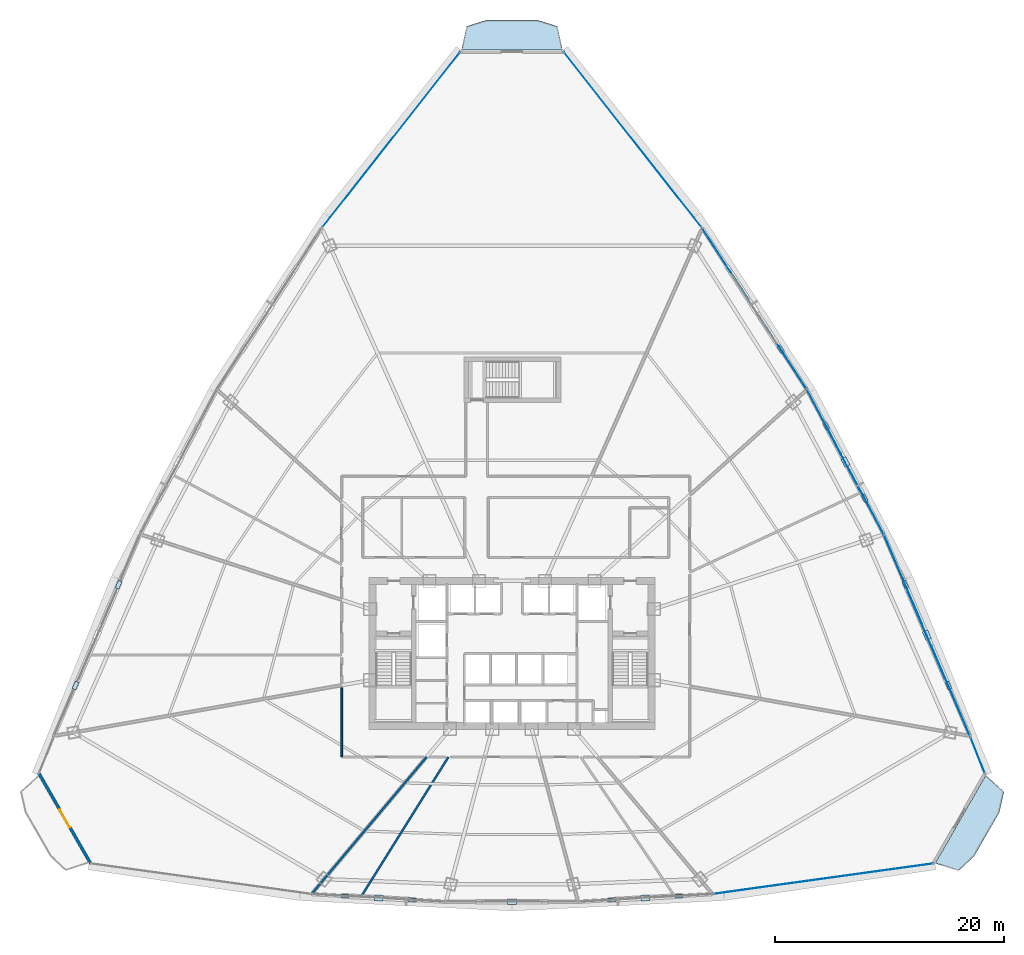
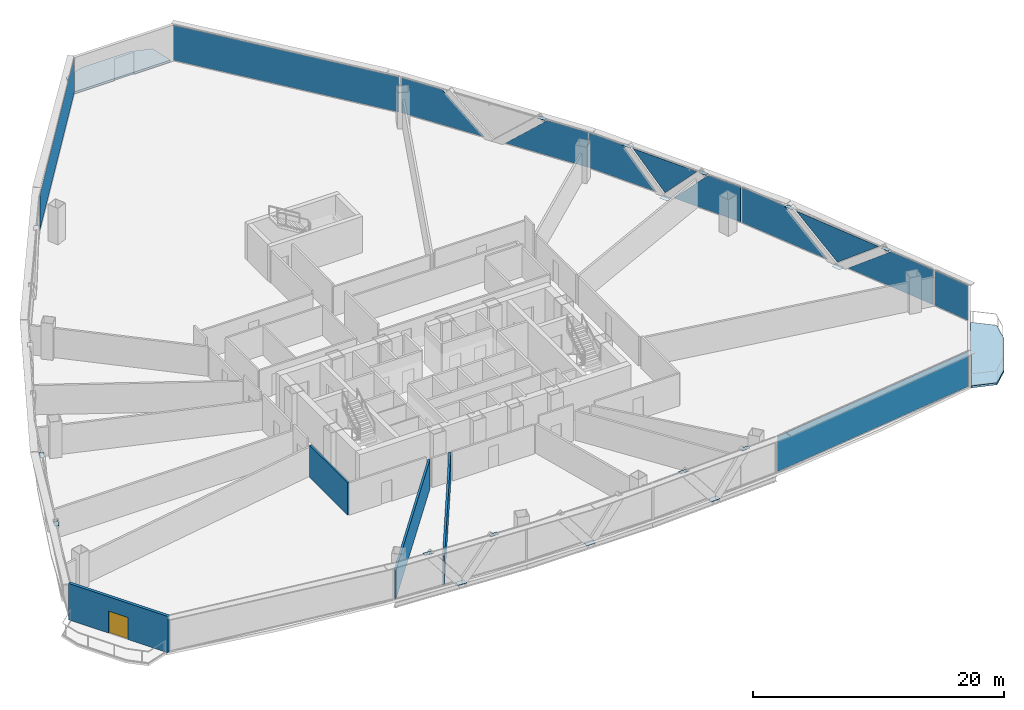
# One storey, part 28 of 36: 28 plates, 4 walls, 2 slabs, 1 door, 1 opening, 7 elements without a shape of their own.
"""IFC4 building model written with IfcOpenShell, lengths in metres."""

from ifc_helpers import new_model, si_unit, direction, frame, frame_2d, origin, origin_with_axes, origin_2d, place, context, subcontext, project, spatial, polyline, rectangle, outline, extrude, source, transform, mapped, material, layer, layer_set, type_object, element, fill, aggregate, save


model = new_model("IFC4")

# Units and contexts
model_context = context("Model", 3, precision=1e-05, world=origin(), true_north=direction((0.0, 1.0)))
body_context = subcontext(model_context, "Body", "Model", "MODEL_VIEW")
ifc_project = project(units=[si_unit("LENGTHUNIT", "METRE"), si_unit("AREAUNIT", "SQUARE_METRE"), si_unit("VOLUMEUNIT", "CUBIC_METRE"), si_unit("PLANEANGLEUNIT", "RADIAN"), si_unit("MASSUNIT", "GRAM", prefix="KILO"), si_unit("THERMODYNAMICTEMPERATUREUNIT", "KELVIN"), si_unit("POWERUNIT", "WATT")], contexts=[model_context])

# Site, building, storey
site_placement = place(None, origin())
site = spatial("IfcSite", under=ifc_project, at=site_placement, CompositionType="ELEMENT")
building_placement = place(site_placement, origin())
building = spatial("IfcBuilding", under=site, at=building_placement, Name="Yunzhuo Pagoda Commons", CompositionType="ELEMENT")
storey_placement = place(building_placement, frame((0.0, 0.0, 103.97998046875)))
storey = spatial("IfcBuildingStorey", under=building, at=storey_placement, Name="L26", CompositionType="ELEMENT", Elevation=103.97998046875)

# Curtain wall, plates
ifc_material_1 = material(Name="Anodized aluminium 6063-T6", Category="aluminium")
ifc_layer_1 = layer(ifc_material_1, 0.1650390625)
ifc_layer_set_1 = layer_set([ifc_layer_1], Name="Anodized aluminium 6063-T6")
curtain_wall_type = type_object("IfcCurtainWallType", Name="CW-LOW Low-Zone Ribbon Curtain Wall", PredefinedType="NOTDEFINED", material=ifc_layer_set_1)
curtain_wall_1_placement = place(storey_placement, origin())
curtain_wall_1 = element("IfcCurtainWall", 1, at=curtain_wall_1_placement, inside=storey, type_object=curtain_wall_type, Name="L26 curtain wall CW-L26-F2B2", PredefinedType="NOTDEFINED")
ifc_material_2 = material(Name="Tempered low-e double glazing", Category="glass")
ifc_layer_2 = layer(ifc_material_2, 0.028076171875)
ifc_layer_set_2 = layer_set([ifc_layer_2], Name="Tempered low-e double glazing")
plate_type_1 = type_object("IfcPlateType", Name="CW-LOW-P Low-E Double Glazing 28", PredefinedType="CURTAIN_PANEL", material=ifc_layer_set_2)
plate_1_placement = place(storey_placement, frame((86.35400390625, 30.60107421875, 1.77001953125), z_axis=(0.919516302226, 0.39305186673, 0.0), x_axis=(-0.39305186673, 0.919516302226, 0.0)))
plate_1 = element("IfcPlate", 2, at=plate_1_placement, type_object=plate_type_1, Name="CW panel 1.1 lite 1", PredefinedType="CURTAIN_PANEL", context=body_context, shape_type="SweptSolid", body=[
    extrude(outline(polyline([(-4.25390625, -1.7099609375), (4.25390625, -1.7099609375), (-0.060791015625, 1.7099609375), (-4.25390625, 1.7099609375), (-4.25390625, -1.7099609375)])), origin(), (0.0, 0.0, 1.0), 0.028076171875),
])
plate_2_placement = place(storey_placement, frame((84.25537109375, 35.4345703125, 1.8525390625), z_axis=(0.919516302226, 0.39305186673, 0.0), x_axis=(-0.39305186673, 0.919516302226, 0.0)))
plate_2 = element("IfcPlate", 3, at=plate_2_placement, type_object=plate_type_1, Name="CW panel 1.1 lite 2", PredefinedType="CURTAIN_PANEL", context=body_context, shape_type="SweptSolid", body=[
    extrude(outline(polyline([(-4.106689453125, 1.62744140625), (0.0, -1.62744140625), (4.106689453125, 1.62744140625), (-4.106689453125, 1.62744140625)])), origin(), (0.0, 0.0, 1.0), 0.028076171875),
])
plate_3_placement = place(storey_placement, frame((82.2119140625, 40.291748046875, 1.77001953125), z_axis=(0.919516302226, 0.39305186673, 0.0), x_axis=(-0.39305186673, 0.919516302226, 0.0)))
plate_3 = element("IfcPlate", 4, at=plate_3_placement, type_object=plate_type_1, Name="CW panel 1.1 lite 3", PredefinedType="CURTAIN_PANEL", context=body_context, shape_type="SweptSolid", body=[
    extrude(outline(polyline([(-4.25390625, -1.7099609375), (4.25390625, -1.7099609375), (4.25390625, 1.7099609375), (0.060791015625, 1.7099609375), (-4.25390625, -1.7099609375)])), origin(), (0.0, 0.0, 1.0), 0.028076171875),
])
aggregate(curtain_wall_1, [plate_1, plate_2, plate_3])

curtain_wall_2_placement = place(storey_placement, origin())
curtain_wall_2 = element("IfcCurtainWall", 5, at=curtain_wall_2_placement, inside=storey, type_object=curtain_wall_type, Name="L26 curtain wall CW-L26-F2B3", PredefinedType="NOTDEFINED")
plate_4_placement = place(storey_placement, frame((79.01123046875, 47.092529296875, 1.77001953125), z_axis=(0.883152288181, 0.469086384241, 0.0), x_axis=(-0.469086384241, 0.883152288181, 0.0)))
plate_4 = element("IfcPlate", 6, at=plate_4_placement, type_object=plate_type_1, Name="CW panel 1.1 lite 1", PredefinedType="CURTAIN_PANEL", context=body_context, shape_type="SweptSolid", body=[
    extrude(outline(polyline([(-3.139892578125, -1.7099609375), (3.139892578125, -1.7099609375), (-0.086181640625, 1.7099609375), (-3.139892578125, 1.7099609375), (-3.139892578125, -1.7099609375)])), origin(), (0.0, 0.0, 1.0), 0.028076171875),
])
plate_5_placement = place(storey_placement, frame((77.125244140625, 50.57958984375, 1.886962890625), z_axis=(0.883152288181, 0.469086384241, 0.0), x_axis=(-0.469086384241, 0.883152288181, 0.0)))
plate_5 = element("IfcPlate", 7, at=plate_5_placement, type_object=plate_type_1, Name="CW panel 1.1 lite 2", PredefinedType="CURTAIN_PANEL", context=body_context, shape_type="SweptSolid", body=[
    extrude(outline(polyline([(-3.005615234375, 1.593017578125), (0.0, -1.593017578125), (3.005615234375, 1.593017578125), (-3.005615234375, 1.593017578125)])), origin(), (0.0, 0.0, 1.0), 0.028076171875),
])
plate_6_placement = place(storey_placement, frame((75.292236328125, 54.094482421875, 1.77001953125), z_axis=(0.883152288181, 0.469086384241, 0.0), x_axis=(-0.469086384241, 0.883152288181, 0.0)))
plate_6 = element("IfcPlate", 8, at=plate_6_placement, type_object=plate_type_1, Name="CW panel 1.1 lite 3", PredefinedType="CURTAIN_PANEL", context=body_context, shape_type="SweptSolid", body=[
    extrude(outline(polyline([(-3.139892578125, -1.7099609375), (3.139892578125, -1.7099609375), (3.139892578125, 1.7099609375), (0.086181640625, 1.7099609375), (-3.139892578125, -1.7099609375)])), origin(), (0.0, 0.0, 1.0), 0.028076171875),
])
aggregate(curtain_wall_2, [plate_4, plate_5, plate_6])

curtain_wall_3_placement = place(storey_placement, origin())
curtain_wall_3 = element("IfcCurtainWall", 9, at=curtain_wall_3_placement, inside=storey, type_object=curtain_wall_type, Name="L26 curtain wall CW-L26-F2B4", PredefinedType="NOTDEFINED")
plate_7_placement = place(storey_placement, frame((71.7314453125, 60.09814453125, 1.77001953125), z_axis=(0.839039875799, 0.544069928244, 0.0), x_axis=(-0.544069928244, 0.839039875799, 0.0)))
plate_7 = element("IfcPlate", 10, at=plate_7_placement, type_object=plate_type_1, Name="CW panel 1.1 lite 1", PredefinedType="CURTAIN_PANEL", context=body_context, shape_type="SweptSolid", body=[
    extrude(outline(polyline([(-3.718017578125, -1.7099609375), (3.718017578125, -1.7099609375), (-0.072265625, 1.7099609375), (-3.718017578125, 1.7099609375), (-3.718017578125, -1.7099609375)])), origin(), (0.0, 0.0, 1.0), 0.028076171875),
])
plate_8_placement = place(storey_placement, frame((66.6826171875, 67.884033203125, 1.77001953125), z_axis=(0.839039875799, 0.544069928244, 0.0), x_axis=(-0.544069928244, 0.839039875799, 0.0)))
plate_8 = element("IfcPlate", 11, at=plate_8_placement, type_object=plate_type_1, Name="CW panel 1.1 lite 3", PredefinedType="CURTAIN_PANEL", context=body_context, shape_type="SweptSolid", body=[
    extrude(outline(polyline([(-3.718017578125, -1.7099609375), (3.718017578125, -1.7099609375), (3.718017578125, 1.7099609375), (0.072265625, 1.7099609375), (-3.718017578125, -1.7099609375)])), origin(), (0.0, 0.0, 1.0), 0.028076171875),
])
aggregate(curtain_wall_3, [plate_7, plate_8])

# Slabs
ifc_material_3 = material(Name="Concrete C40", Category="concrete")
ifc_layer_3 = layer(ifc_material_3, 0.199951171875)
ifc_layer_set_3 = layer_set([ifc_layer_3], Name="Concrete C40")
slab_type = type_object("IfcSlabType", Name="SL-BAL Vertex Balcony Deck Slab 200", PredefinedType="FLOOR", material=ifc_layer_set_3)
slab_1_placement = place(storey_placement, frame((0.0, 0.0, -0.199951171875)))
element("IfcSlab", 12, at=slab_1_placement, inside=storey, type_object=slab_type, Name="L26 corner balcony V2", PredefinedType="FLOOR", context=body_context, shape_type="SweptSolid", body=[
    extrude(outline(polyline([(85.02734375, 15.49072265625), (89.449462890625, 23.1923828125), (91.042236328125, 21.7587890625), (90.6376953125, 19.949951171875), (88.426513671875, 16.09912109375), (87.068115234375, 14.837890625), (85.02734375, 15.49072265625)])), origin(), (0.0, 0.0, 1.0), 0.199951171875),
])
slab_2_placement = place(storey_placement, frame((0.0, 0.0, -0.199951171875)))
element("IfcSlab", 13, at=slab_2_placement, inside=storey, type_object=slab_type, Name="L26 corner balcony V3", PredefinedType="FLOOR", context=body_context, shape_type="SweptSolid", body=[
    extrude(outline(polyline([(52.422119140625, 86.6240234375), (43.577880859375, 86.6240234375), (44.02783203125, 88.718994140625), (45.788818359375, 89.26904296875), (50.211181640625, 89.26904296875), (51.97216796875, 88.718994140625), (52.422119140625, 86.6240234375)])), origin(), (0.0, 0.0, 1.0), 0.199951171875),
])

# Plates
ifc_material_4 = material(Name="Structural steel Q355B", Category="steel")
ifc_layer_4 = layer(ifc_material_4, 0.028076171875)
ifc_layer_set_4 = layer_set([ifc_layer_4], Name="Structural steel Q355B")
plate_type_2 = type_object("IfcPlateType", Name="SP-ND1 Lattice Node Cap Plate 800x500x28", PredefinedType="USERDEFINED", material=ifc_layer_set_4)
shared_shape_1 = source(origin(), body_context, "Body", "SweptSolid", [
    extrude(rectangle(XDim=0.800048828125, YDim=0.5, at=origin_2d()), origin(), (0.0, 0.0, 1.0), 0.028076171875),
])
for number, where, z_axis, x_axis, name in (
    (14, (36.341796875, 12.46435546875, -0.27392578125), (0.0, 0.0, 1.0), (0.998365841392, -0.057145837479, 0.0), "L26 diamond node plate F1.1A"),
    (15, (48.0, 12.1279296875, -0.27392578125), (0.0, 0.0, 1.0), (1.0, 0.0, 0.0), "L26 diamond node plate F1.2A"),
    (16, (59.658203125, 12.46435546875, -0.27392578125), (0.0, 0.0, 1.0), (0.998365841392, 0.057145837479, 0.0), "L26 diamond node plate F1.3A"),
    (17, (84.2958984375, 35.4521484375, -0.27392578125), (0.0, 0.0, 1.0), (-0.393059421637, 0.919513072807, 0.0), "L26 diamond node plate F2.1A"),
    (18, (77.164306640625, 50.60009765625, -0.27392578125), (0.0, 0.0, 1.0), (-0.469086259542, 0.883152354415, 0.0), "L26 diamond node plate F2.2A"),
):
    element("IfcPlate", number, at=place(storey_placement, frame(where, z_axis=z_axis, x_axis=x_axis)), inside=storey, type_object=plate_type_2, Name=name, ObjectType="STIFFENER_PLATE", PredefinedType="USERDEFINED", context=body_context, shape_type="MappedRepresentation", body=[
        mapped(shared_shape_1, transform((0.0, 0.0, 0.0), scale=1.0)),
    ])
shared_shape_2 = source(origin(), body_context, "Body", "SweptSolid", [
    extrude(rectangle(XDim=0.699951171875, YDim=0.35009765625, at=origin_2d()), origin(), (0.0, 0.0, 1.0), 0.035888671875),
])
for number, where, z_axis, x_axis, name in (
    (19, (33.402587890625, 12.632568359375, 3.501953125), (0.0, 0.0, 1.0), (0.998365841392, -0.057145837479, 0.0), "L26 setback lattice tie plate F1.1L"),
    (20, (39.28076171875, 12.296142578125, 3.501953125), (0.0, 0.0, 1.0), (0.998365841392, -0.057145837479, 0.0), "L26 setback lattice tie plate F1.1R"),
    (21, (56.71923828125, 12.296142578125, 3.501953125), (0.0, 0.0, 1.0), (0.998365841392, 0.057145837479, 0.0), "L26 setback lattice tie plate F1.3L"),
    (22, (62.597412109375, 12.632568359375, 3.501953125), (0.0, 0.0, 1.0), (0.998365841392, 0.057145837479, 0.0), "L26 setback lattice tie plate F1.3R"),
    (23, (86.180419921875, 31.043701171875, 3.501953125), (0.0, 0.0, 1.0), (-0.393059421637, 0.919513072807, 0.0), "L26 setback lattice tie plate F2.1L"),
    (24, (82.41162109375, 39.8603515625, 3.501953125), (0.0, 0.0, 1.0), (-0.393059421637, 0.919513072807, 0.0), "L26 setback lattice tie plate F2.1R"),
    (25, (78.845703125, 47.434326171875, 3.501953125), (0.0, 0.0, 1.0), (-0.469086259542, 0.883152354415, 0.0), "L26 setback lattice tie plate F2.2L"),
    (26, (75.48291015625, 53.765869140625, 3.501953125), (0.0, 0.0, 1.0), (-0.469086259542, 0.883152354415, 0.0), "L26 setback lattice tie plate F2.2R"),
    (27, (71.510009765625, 60.465087890625, 3.501953125), (0.0, 0.0, 1.0), (-0.54406804394, 0.839041097661, 0.0), "L26 setback lattice tie plate F2.3L"),
    (28, (13.58837890625, 39.8603515625, 3.501953125), (0.0, 0.0, 1.0), (-0.393059421637, -0.919513072807, 0.0), "L26 setback lattice tie plate F3.3L"),
    (29, (9.819580078125, 31.043701171875, 3.501953125), (0.0, 0.0, 1.0), (-0.393059421637, -0.919513072807, 0.0), "L26 setback lattice tie plate F3.3R"),
):
    element("IfcPlate", number, at=place(storey_placement, frame(where, z_axis=z_axis, x_axis=x_axis)), inside=storey, type_object=plate_type_2, Name=name, ObjectType="STIFFENER_PLATE", PredefinedType="USERDEFINED", context=body_context, shape_type="MappedRepresentation", body=[
        mapped(shared_shape_2, transform((0.0, 0.0, 0.0), scale=1.0)),
    ])

# Curtain wall, plate
curtain_wall_4_placement = place(storey_placement, origin())
curtain_wall_4 = element("IfcCurtainWall", 30, at=curtain_wall_4_placement, inside=storey, type_object=curtain_wall_type, Name="L26 curtain wall CW-L26-F1B5", PredefinedType="NOTDEFINED")
shared_shape_3 = source(origin(), body_context, "Body", "SweptSolid", [
    extrude(rectangle(XDim=19.3056640625, YDim=0.028076171875, at=origin_2d()), origin(), (0.0, 0.0, 1.0), 3.419921875),
])
plate_9_placement = place(storey_placement, frame((75.23681640625, 14.143310546875, 0.06005859375), z_axis=(0.0, 0.0, 1.0), x_axis=(0.990559671801, 0.137082225692, 0.0)))
plate_9 = element("IfcPlate", 31, at=plate_9_placement, type_object=plate_type_1, Name="CW panel 1.1", PredefinedType="CURTAIN_PANEL", context=body_context, shape_type="MappedRepresentation", body=[
    mapped(shared_shape_3, transform((0.0, 0.0, 0.0), scale=1.0)),
])
aggregate(curtain_wall_4, [plate_9])

curtain_wall_5_placement = place(storey_placement, origin())
curtain_wall_5 = element("IfcCurtainWall", 32, at=curtain_wall_5_placement, inside=storey, type_object=curtain_wall_type, Name="L26 curtain wall CW-L26-F2B1", PredefinedType="NOTDEFINED")
shared_shape_4 = source(origin(), body_context, "Body", "SweptSolid", [
    extrude(rectangle(XDim=3.34130859375, YDim=0.028076171875, at=origin_2d()), origin(), (0.0, 0.0, 1.0), 3.419921875),
])
plate_10_placement = place(storey_placement, frame((88.736083984375, 24.953857421875, 0.06005859375), z_axis=(0.0, 0.0, 1.0), x_axis=(-0.370829373424, 0.928701015293, 0.0)))
plate_10 = element("IfcPlate", 33, at=plate_10_placement, type_object=plate_type_1, Name="CW panel 1.1", PredefinedType="CURTAIN_PANEL", context=body_context, shape_type="MappedRepresentation", body=[
    mapped(shared_shape_4, transform((0.0, 0.0, 0.0), scale=1.0)),
])
aggregate(curtain_wall_5, [plate_10])

curtain_wall_6_placement = place(storey_placement, origin())
curtain_wall_6 = element("IfcCurtainWall", 34, at=curtain_wall_6_placement, inside=storey, type_object=curtain_wall_type, Name="L26 curtain wall CW-L26-F2B5", PredefinedType="NOTDEFINED")
shared_shape_5 = source(origin(), body_context, "Body", "SweptSolid", [
    extrude(rectangle(XDim=19.41015625, YDim=0.028076171875, at=origin_2d()), origin(), (0.0, 0.0, 1.0), 3.419921875),
])
plate_11_placement = place(storey_placement, frame((58.553466796875, 78.806884765625, 0.06005859375), z_axis=(0.0, 0.0, 1.0), x_axis=(-0.617843475253, 0.786301112862, 0.0)))
plate_11 = element("IfcPlate", 35, at=plate_11_placement, type_object=plate_type_1, Name="CW panel 1.1", PredefinedType="CURTAIN_PANEL", context=body_context, shape_type="MappedRepresentation", body=[
    mapped(shared_shape_5, transform((0.0, 0.0, 0.0), scale=1.0)),
])
aggregate(curtain_wall_6, [plate_11])

curtain_wall_7_placement = place(storey_placement, origin())
curtain_wall_7 = element("IfcCurtainWall", 36, at=curtain_wall_7_placement, inside=storey, type_object=curtain_wall_type, Name="L26 curtain wall CW-L26-F3B1", PredefinedType="NOTDEFINED")
plate_12_placement = place(storey_placement, frame((37.446533203125, 78.806884765625, 0.06005859375), z_axis=(0.0, 0.0, 1.0), x_axis=(-0.617843475253, -0.786301112862, 0.0)))
plate_12 = element("IfcPlate", 37, at=plate_12_placement, type_object=plate_type_1, Name="CW panel 1.1", PredefinedType="CURTAIN_PANEL", context=body_context, shape_type="MappedRepresentation", body=[
    mapped(shared_shape_5, transform((0.0, 0.0, 0.0), scale=1.0)),
])
aggregate(curtain_wall_7, [plate_12])

# Wall, opening, door
ifc_material_5 = material(Name="Precast concrete C40", Category="concrete")
ifc_layer_5 = layer(ifc_material_5, 0.260009765625)
ifc_layer_set_5 = layer_set([ifc_layer_5], Name="Precast concrete C40")
wall_type_1 = type_object("IfcWallType", Name="W-BAL1 Corner Balcony Threshold Wall 260", PredefinedType="STANDARD", material=ifc_layer_set_5)
wall_1_placement = place(storey_placement, frame((6.593017578125, 23.3896484375, 0.0), z_axis=(0.0, 0.0, 1.0), x_axis=(0.497913445573, -0.867226729707, 0.0)))
wall_1 = element("IfcWall", 38, at=wall_1_placement, inside=storey, type_object=wall_type_1, Name="L26 corner balcony wall V1", PredefinedType="STANDARD", context=body_context, shape_type="SweptSolid", body=[
    extrude(rectangle(XDim=9.180908203125, YDim=0.260009765625, at=frame_2d((4.59033203125, 0.0))), origin(), (0.0, 0.0, 1.0), 3.5400390625),
])
opening_placement = place(wall_1_placement, frame((3.6904296875, 0.0, 0.0)))
opening = element("IfcOpeningElement", 39, at=opening_placement, cuts=wall_1, Name="Opening D-BAL1", PredefinedType="OPENING", context=body_context, shape_type="SweptSolid", body=[
    extrude(rectangle(XDim=1.800048828125, YDim=2.14990234375, at=frame_2d((0.89990234375, 1.074951171875))), frame((0.0, 0.14013671875, 0.0), z_axis=(0.0, -1.0, 0.0), x_axis=(1.0, 0.0, 0.0)), (0.0, 0.0, 1.0), 0.280029296875),
])
ifc_material_6 = material(Name="Anodized aluminium frame and tempered glazed leaf", Category="aluminium")
door_type = type_object("IfcDoorType", Name="D-BAL1 Corner Balcony Sliding Glazed Door 1800x2150", OperationType="DOUBLE_DOOR_SLIDING", PredefinedType="DOOR", material=ifc_material_6)
shared_shape_6 = source(origin(), body_context, "Body", "SweptSolid", [
    extrude(rectangle(XDim=1.800048828125, YDim=2.14990234375, at=frame_2d((0.89990234375, 1.074951171875))), frame((0.0, 0.02490234375, 0.0), z_axis=(0.0, -1.0, 0.0), x_axis=(1.0, 0.0, 0.0)), (0.0, 0.0, 1.0), 0.050048828125),
])
door_placement = place(opening_placement, origin_with_axes())
door = element("IfcDoor", 40, at=door_placement, inside=storey, type_object=door_type, Name="L26 corner balcony sliding door V1", OperationType="DOUBLE_DOOR_SLIDING", OverallHeight=2.14990234375, OverallWidth=1.800048828125, PredefinedType="DOOR", context=body_context, shape_type="MappedRepresentation", body=[
    mapped(shared_shape_6, transform((0.0, 0.0, 0.0), scale=1.0)),
])
fill(opening, door)

# Walls
ifc_material_7 = material(Name="Gypsum plasterboard on acoustic stud")
ifc_layer_6 = layer(ifc_material_7, 0.159912109375)
ifc_layer_set_6 = layer_set([ifc_layer_6], Name="Gypsum plasterboard on acoustic stud")
wall_type_2 = type_object("IfcWallType", Name="W-COR1 Tower Rated Corridor Wall 160", PredefinedType="PARTITIONING", material=ifc_layer_set_6)
wall_2_placement = place(storey_placement, frame((33.10009765625, 24.800048828125, 0.0), z_axis=(0.0, 0.0, 1.0), x_axis=(0.0, 1.0, 0.0)))
element("IfcWall", 41, at=wall_2_placement, inside=storey, type_object=wall_type_2, Name="L26 interior wall IW-L26-CWL01", PredefinedType="PARTITIONING", context=body_context, shape_type="SweptSolid", body=[
    extrude(rectangle(XDim=6.04931640625, YDim=0.159912109375, at=frame_2d((3.024658203125, 0.0))), origin(), (0.0, 0.0, 1.0), 3.14013671875),
])
ifc_layer_7 = layer(ifc_material_7, 0.179931640625)
ifc_layer_set_7 = layer_set([ifc_layer_7], Name="Gypsum plasterboard on acoustic stud")
wall_type_3 = type_object("IfcWallType", Name="W-PRT2 Acoustic Unit Demising Wall 180", PredefinedType="PARTITIONING", material=ifc_layer_set_7)
wall_3_placement = place(storey_placement, frame((40.531982421875, 24.800048828125, 0.0), z_axis=(0.0, 0.0, 1.0), x_axis=(-0.642779306778, -0.76605141001, 0.0)))
element("IfcWall", 42, at=wall_3_placement, inside=storey, type_object=wall_type_3, Name="L26 interior wall IW-L26-RAD09", PredefinedType="PARTITIONING", context=body_context, shape_type="SweptSolid", body=[
    extrude(rectangle(XDim=15.663818359375, YDim=0.179931640625, at=frame_2d((7.83203125, 0.0))), origin(), (0.0, 0.0, 1.0), 2.840087890625),
])
wall_4_placement = place(storey_placement, frame((42.438720703125, 24.800048828125, 0.0), z_axis=(0.0, 0.0, 1.0), x_axis=(-0.529922955224, -0.848045789758, 0.0)))
element("IfcWall", 43, at=wall_4_placement, inside=storey, type_object=wall_type_3, Name="L26 interior wall IW-L26-RAD10", PredefinedType="PARTITIONING", context=body_context, shape_type="SweptSolid", body=[
    extrude(rectangle(XDim=14.44091796875, YDim=0.179931640625, at=frame_2d((7.220458984375, 0.0))), origin(), (0.0, 0.0, 1.0), 2.840087890625),
])

save(model, "model.ifc")
